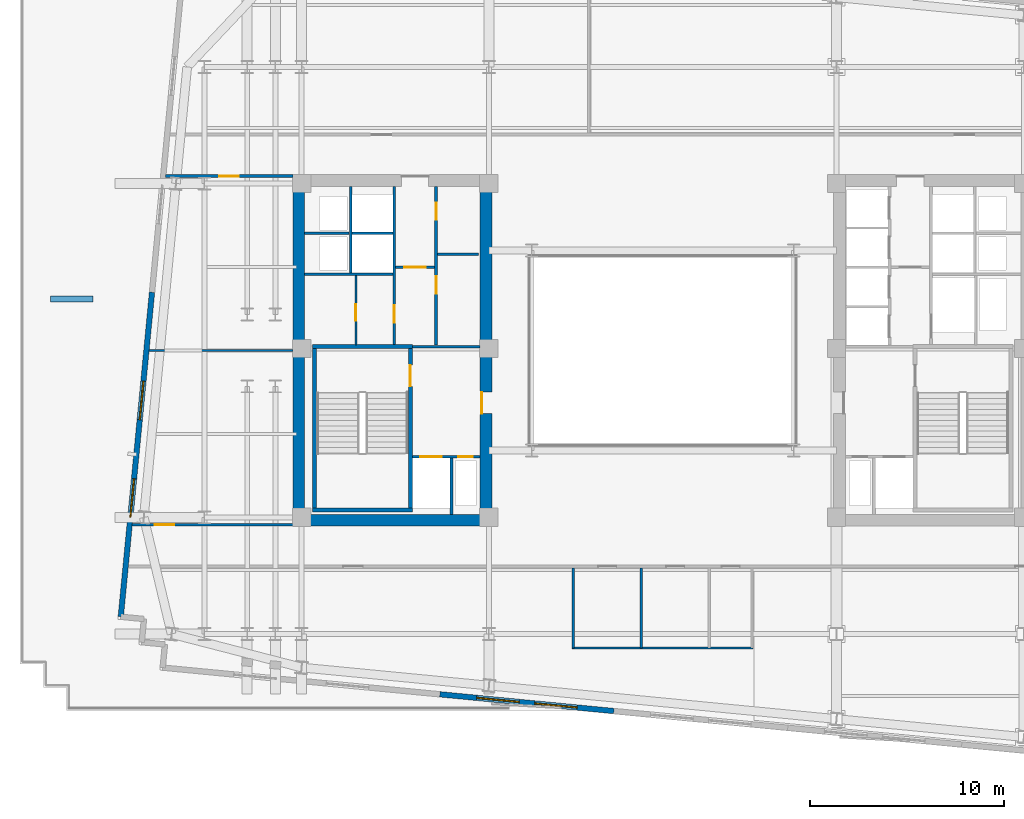
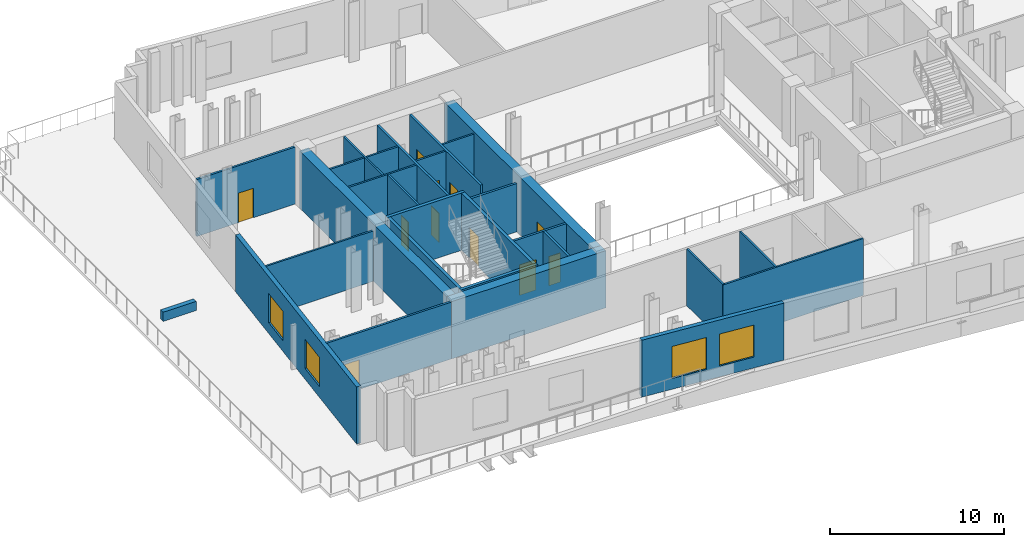
# One storey, part 5 of 11: 28 walls, 11 doors, 4 windows, 15 openings.
"""IFC4 building model written with IfcOpenShell, lengths in metres."""

from ifc_helpers import new_model, si_unit, direction, frame, frame_2d, origin, place, context, subcontext, project, spatial, rectangle, extrude, material, layer, layer_set, type_object, element, fill, save


model = new_model("IFC4")

# Units and contexts
model_context = context("Model", 3, precision=1e-05, world=origin(), true_north=direction((0.0, 1.0)))
body_context = subcontext(model_context, "Body", "Model", "MODEL_VIEW")
ifc_project = project(units=[si_unit("LENGTHUNIT", "METRE"), si_unit("AREAUNIT", "SQUARE_METRE"), si_unit("VOLUMEUNIT", "CUBIC_METRE"), si_unit("PLANEANGLEUNIT", "RADIAN"), si_unit("MASSUNIT", "GRAM", prefix="KILO")], contexts=[model_context])

# Site, building, storey
site_placement = place(None, origin())
site = spatial("IfcSite", under=ifc_project, at=site_placement, CompositionType="ELEMENT")
building_placement = place(site_placement, origin())
building = spatial("IfcBuilding", under=site, at=building_placement, Name="Velakula Bourse", CompositionType="ELEMENT")
storey_placement = place(building_placement, frame((0.0, 0.0, 156.199951171875)))
storey = spatial("IfcBuildingStorey", under=building, at=storey_placement, Name="L42", CompositionType="ELEMENT", Elevation=156.199951171875)

# Wall, opening, door
ifc_material_1 = material(Name="Concrete M50 (fck 50 MPa)", Category="concrete")
ifc_layer_1 = layer(ifc_material_1, 0.2099609375, Name="Concrete M50 (fck 50 MPa)", Category="concrete")
ifc_layer_set_1 = layer_set([ifc_layer_1], Name="Concrete M50 (fck 50 MPa)")
wall_type_1 = type_object("IfcWallType", Name="WL-CORE-210", PredefinedType="SHEAR", material=ifc_layer_set_1)
wall_1_placement = place(storey_placement, frame((-12.9951171875, -8.10009765625, 0.0), z_axis=(0.0, 0.0, 1.0), x_axis=(0.0, 1.0, 0.0)))
wall_1 = element("IfcWall", 1, at=wall_1_placement, inside=storey, type_object=wall_type_1, Name="L42 Core W Stairwell Shear Wall IN", PredefinedType="SHEAR", context=body_context, shape_type="SweptSolid", body=[
    extrude(rectangle(XDim=8.2001953125, YDim=0.2099609375, at=frame_2d((4.10009765625, 0.0))), origin(), (0.0, 0.0, 1.0), 4.02001953125),
])
opening_1_placement = place(wall_1_placement, frame((6.25, 0.0, 0.0)))
opening_1 = element("IfcOpeningElement", 2, at=opening_1_placement, cuts=wall_1, Name="Opening D-STW1", PredefinedType="OPENING", context=body_context, shape_type="SweptSolid", body=[
    extrude(rectangle(XDim=1.10009765625, YDim=2.14990234375, at=frame_2d((0.550048828125, 1.074951171875))), frame((0.0, 0.114990234375, 0.0), z_axis=(0.0, -1.0, 0.0), x_axis=(1.0, 0.0, 0.0)), (0.0, 0.0, 1.0), 0.22998046875),
])
ifc_material_2 = material(Name="Galvanised painted hollow steel fire door", Category="steel")
door_type_1 = type_object("IfcDoorType", Name="DR-FD120-1100x2150", OperationType="NOTDEFINED", PredefinedType="DOOR", material=ifc_material_2)
door_1_placement = place(opening_1_placement, origin())
door_1 = element("IfcDoor", 3, at=door_1_placement, inside=storey, type_object=door_type_1, Name="L42 Stair ST-W1 Fire Door", OperationType="SINGLE_SWING_LEFT", OverallHeight=2.14990234375, OverallWidth=1.10009765625, PredefinedType="DOOR", context=body_context, shape_type="SweptSolid", body=[
    extrude(rectangle(XDim=1.10009765625, YDim=2.14990234375, at=frame_2d((0.550048828125, 1.074951171875))), frame((0.0, 0.02490234375, 0.0), z_axis=(0.0, -1.0, 0.0), x_axis=(1.0, 0.0, 0.0)), (0.0, 0.0, 1.0), 0.050048828125),
])
fill(opening_1, door_1)

# Walls
wall_2_placement = place(storey_placement, frame((-17.925048828125, -8.10009765625, 0.0), z_axis=(0.0, 0.0, 1.0), x_axis=(0.0, 1.0, 0.0)))
element("IfcWall", 4, at=wall_2_placement, inside=storey, type_object=wall_type_1, Name="L42 Core W Stairwell Shear Wall OUT", PredefinedType="SHEAR", context=body_context, shape_type="SweptSolid", body=[
    extrude(rectangle(XDim=8.2001953125, YDim=0.2099609375, at=frame_2d((4.10009765625, 0.0))), origin(), (0.0, 0.0, 1.0), 4.02001953125),
])
for number, where, z_axis, x_axis, name in (
    (5, (-18.030029296875, -8.205078125, 0.0), (0.0, 0.0, 1.0), (1.0, 0.0, 0.0), "L42 Core W Stairwell Shear Wall S"),
    (6, (-12.889892578125, 0.205078125, 0.0), (0.0, 0.0, 1.0), (-1.0, 0.0, 0.0), "L42 Core W Stairwell Shear Wall N"),
):
    element("IfcWall", number, at=place(storey_placement, frame(where, z_axis=z_axis, x_axis=x_axis)), inside=storey, type_object=wall_type_1, Name=name, PredefinedType="SHEAR", context=body_context, shape_type="SweptSolid", body=[
        extrude(rectangle(XDim=5.14013671875, YDim=0.2099609375, at=frame_2d((2.570068359375, 0.0))), origin(), (0.0, 0.0, 1.0), 4.02001953125),
    ])
ifc_material_3 = material(Name="Concrete M70 (fck 70 MPa)", Category="concrete")
ifc_layer_2 = layer(ifc_material_3, 0.60009765625, Name="Concrete M70 (fck 70 MPa)", Category="concrete")
ifc_layer_set_2 = layer_set([ifc_layer_2], Name="Concrete M70 (fck 70 MPa)")
wall_type_2 = type_object("IfcWallType", Name="WL-CORE-600", PredefinedType="SHEAR", material=ifc_layer_set_2)
wall_3_placement = place(storey_placement, frame((-19.050048828125, -8.75, 0.0), z_axis=(0.0, 0.0, 1.0), x_axis=(1.0, 0.0, 0.0)))
element("IfcWall", 7, at=wall_3_placement, inside=storey, type_object=wall_type_2, Name="L42 Core W Shear Wall S", PredefinedType="SHEAR", context=body_context, shape_type="SweptSolid", body=[
    extrude(rectangle(XDim=10.25, YDim=0.60009765625, at=frame_2d((5.125, 0.0))), origin(), (0.0, 0.0, 1.0), 4.02001953125),
])
wall_4_placement = place(storey_placement, frame((-18.75, -8.449951171875, 0.0), z_axis=(0.0, 0.0, 1.0), x_axis=(0.0, 1.0, 0.0)))
element("IfcWall", 8, at=wall_4_placement, inside=storey, type_object=wall_type_2, Name="L42 Core W Shear Wall W", PredefinedType="SHEAR", context=body_context, shape_type="SweptSolid", body=[
    extrude(rectangle(XDim=16.89990234375, YDim=0.60009765625, at=frame_2d((8.449951171875, 0.0))), origin(), (0.0, 0.0, 1.0), 4.02001953125),
])

# Wall, opening, door
wall_5_placement = place(storey_placement, frame((-9.10009765625, -8.449951171875, 0.0), z_axis=(0.0, 0.0, 1.0), x_axis=(0.0, 1.0, 0.0)))
wall_5 = element("IfcWall", 9, at=wall_5_placement, inside=storey, type_object=wall_type_2, Name="L42 Core W Shear Wall E", PredefinedType="SHEAR", context=body_context, shape_type="SweptSolid", body=[
    extrude(rectangle(XDim=16.89990234375, YDim=0.60009765625, at=frame_2d((8.449951171875, 0.0))), origin(), (0.0, 0.0, 1.0), 4.02001953125),
])
opening_2_placement = place(wall_5_placement, frame((5.199951171875, 0.0, 0.0)))
opening_2 = element("IfcOpeningElement", 10, at=opening_2_placement, cuts=wall_5, Name="Opening D-FLW", PredefinedType="OPENING", context=body_context, shape_type="SweptSolid", body=[
    extrude(rectangle(XDim=1.10009765625, YDim=2.080078125, at=frame_2d((0.550048828125, 1.0400390625))), frame((0.0, 0.31005859375, 0.0), z_axis=(0.0, -1.0, 0.0), x_axis=(1.0, 0.0, 0.0)), (0.0, 0.0, 1.0), 0.6201171875),
])
door_type_2 = type_object("IfcDoorType", Name="DR-FD120-1100", OperationType="NOTDEFINED", PredefinedType="DOOR", material=ifc_material_2)
door_2_placement = place(opening_2_placement, origin())
door_2 = element("IfcDoor", 11, at=door_2_placement, inside=storey, type_object=door_type_2, Name="L42 Firefighting Lobby W Corridor Fire Door", OperationType="SINGLE_SWING_LEFT", OverallHeight=2.080078125, OverallWidth=1.10009765625, PredefinedType="DOOR", context=body_context, shape_type="SweptSolid", body=[
    extrude(rectangle(XDim=1.10009765625, YDim=2.080078125, at=frame_2d((0.550048828125, 1.0400390625))), frame((0.0, 0.2548828125, 0.0), z_axis=(0.0, -1.0, 0.0), x_axis=(1.0, 0.0, 0.0)), (0.0, 0.0, 1.0), 0.050048828125),
])
fill(opening_2, door_2)

# Wall, openings, windows
ifc_material_4 = material(Name="Red kilned clay facing brick masonry", Category="masonry")
ifc_layer_3 = layer(ifc_material_4, 0.280029296875, Name="Red kilned clay facing brick masonry", Category="masonry")
ifc_layer_set_3 = layer_set([ifc_layer_3], Name="Red kilned clay facing brick masonry")
wall_type_3 = type_object("IfcWallType", Name="WL-EXT-BRK-280", PredefinedType="STANDARD", material=ifc_layer_set_3)
wall_6_placement = place(storey_placement, frame((-2.5185546875, -18.5703125, 0.0), z_axis=(0.0, 0.0, 1.0), x_axis=(-0.995396794462, 0.09583956164, 0.0)))
wall_6 = element("IfcWall", 12, at=wall_6_placement, inside=storey, type_object=wall_type_3, Name="L42 S Brick Spandrel Wall B2", PredefinedType="STANDARD", context=body_context, shape_type="SweptSolid", body=[
    extrude(rectangle(XDim=9.0, YDim=0.280029296875, at=frame_2d((4.5, 0.0))), origin(), (0.0, 0.0, 1.0), 4.0),
])
opening_3_placement = place(wall_6_placement, frame((1.89990234375, 0.0, 0.760009765625)))
opening_3 = element("IfcOpeningElement", 13, at=opening_3_placement, cuts=wall_6, Name="Opening W-08", PredefinedType="OPENING", context=body_context, shape_type="SweptSolid", body=[
    extrude(rectangle(XDim=2.199951171875, YDim=2.25, at=frame_2d((1.10009765625, 1.125))), frame((0.0, 0.14990234375, 0.0), z_axis=(0.0, -1.0, 0.0), x_axis=(1.0, 0.0, 0.0)), (0.0, 0.0, 1.0), 0.300048828125),
])
opening_4_placement = place(wall_6_placement, frame((4.89990234375, 0.0, 0.760009765625)))
opening_4 = element("IfcOpeningElement", 14, at=opening_4_placement, cuts=wall_6, Name="Opening W-08", PredefinedType="OPENING", context=body_context, shape_type="SweptSolid", body=[
    extrude(rectangle(XDim=2.199951171875, YDim=2.25, at=frame_2d((1.10009765625, 1.125))), frame((0.0, 0.14990234375, 0.0), z_axis=(0.0, -1.0, 0.0), x_axis=(1.0, 0.0, 0.0)), (0.0, 0.0, 1.0), 0.300048828125),
])
ifc_material_5 = material(Name="Double-glazed solar-control Low-E glass", Category="glass")
window_type_1 = type_object("IfcWindowType", Name="WIN-SL-2200x2500", PartitioningType="DOUBLE_PANEL_VERTICAL", PredefinedType="WINDOW", material=ifc_material_5)
window_1_placement = place(opening_3_placement, origin())
window_1 = element("IfcWindow", 15, at=window_1_placement, inside=storey, type_object=window_type_1, Name="L42 Deep-Set Recessed Window 1", OverallHeight=2.25, OverallWidth=2.199951171875, PartitioningType="DOUBLE_PANEL_VERTICAL", PredefinedType="WINDOW", context=body_context, shape_type="SweptSolid", body=[
    extrude(rectangle(XDim=2.199951171875, YDim=2.25, at=frame_2d((1.10009765625, 1.125))), frame((0.0, 0.030029296875, 0.0), z_axis=(0.0, -1.0, 0.0), x_axis=(1.0, 0.0, 0.0)), (0.0, 0.0, 1.0), 0.06005859375),
])
fill(opening_3, window_1)
window_2_placement = place(opening_4_placement, origin())
window_2 = element("IfcWindow", 16, at=window_2_placement, inside=storey, type_object=window_type_1, Name="L42 Deep-Set Recessed Window 2", OverallHeight=2.25, OverallWidth=2.199951171875, PartitioningType="DOUBLE_PANEL_VERTICAL", PredefinedType="WINDOW", context=body_context, shape_type="SweptSolid", body=[
    extrude(rectangle(XDim=2.199951171875, YDim=2.25, at=frame_2d((1.10009765625, 1.125))), frame((0.0, 0.030029296875, 0.0), z_axis=(0.0, -1.0, 0.0), x_axis=(1.0, 0.0, 0.0)), (0.0, 0.0, 1.0), 0.06005859375),
])
fill(opening_4, window_2)

wall_7_placement = place(storey_placement, frame((-27.909912109375, -13.71435546875, 0.0), z_axis=(0.0, 0.0, 1.0), x_axis=(0.095839027265, 0.995396845913, 0.0)))
wall_7 = element("IfcWall", 17, at=wall_7_placement, inside=storey, type_object=wall_type_3, Name="L42 W Brick End Wall W1", PredefinedType="STANDARD", context=body_context, shape_type="SweptSolid", body=[
    extrude(rectangle(XDim=16.7900390625, YDim=0.280029296875, at=frame_2d((8.39501953125, 0.0))), origin(), (0.0, 0.0, 1.0), 4.0),
])
opening_5_placement = place(wall_7_placement, frame((5.146728515625, 0.0, 0.760009765625)))
opening_5 = element("IfcOpeningElement", 18, at=opening_5_placement, cuts=wall_7, Name="Opening W-05", PredefinedType="OPENING", context=body_context, shape_type="SweptSolid", body=[
    extrude(rectangle(XDim=2.0, YDim=2.050048828125, at=frame_2d((1.0, 1.02490234375))), frame((0.0, 0.14990234375, 0.0), z_axis=(0.0, -1.0, 0.0), x_axis=(1.0, 0.0, 0.0)), (0.0, 0.0, 1.0), 0.300048828125),
])
opening_6_placement = place(wall_7_placement, frame((10.193359375, 0.0, 0.760009765625)))
opening_6 = element("IfcOpeningElement", 19, at=opening_6_placement, cuts=wall_7, Name="Opening W-05", PredefinedType="OPENING", context=body_context, shape_type="SweptSolid", body=[
    extrude(rectangle(XDim=2.0, YDim=2.050048828125, at=frame_2d((1.0, 1.02490234375))), frame((0.0, 0.14990234375, 0.0), z_axis=(0.0, -1.0, 0.0), x_axis=(1.0, 0.0, 0.0)), (0.0, 0.0, 1.0), 0.300048828125),
])
window_type_2 = type_object("IfcWindowType", Name="WIN-TWR-2000x2200", PartitioningType="DOUBLE_PANEL_VERTICAL", PredefinedType="WINDOW", material=ifc_material_5)
window_3_placement = place(opening_5_placement, origin())
window_3 = element("IfcWindow", 20, at=window_3_placement, inside=storey, type_object=window_type_2, Name="L42 Deep-Set Recessed Window 1", OverallHeight=2.050048828125, OverallWidth=2.0, PartitioningType="DOUBLE_PANEL_VERTICAL", PredefinedType="WINDOW", context=body_context, shape_type="SweptSolid", body=[
    extrude(rectangle(XDim=2.0, YDim=2.050048828125, at=frame_2d((1.0, 1.02490234375))), frame((0.0, 0.030029296875, 0.0), z_axis=(0.0, -1.0, 0.0), x_axis=(1.0, 0.0, 0.0)), (0.0, 0.0, 1.0), 0.06005859375),
])
fill(opening_5, window_3)
window_4_placement = place(opening_6_placement, origin())
window_4 = element("IfcWindow", 21, at=window_4_placement, inside=storey, type_object=window_type_2, Name="L42 Deep-Set Recessed Window 2", OverallHeight=2.050048828125, OverallWidth=2.0, PartitioningType="DOUBLE_PANEL_VERTICAL", PredefinedType="WINDOW", context=body_context, shape_type="SweptSolid", body=[
    extrude(rectangle(XDim=2.0, YDim=2.050048828125, at=frame_2d((1.0, 1.02490234375))), frame((0.0, 0.030029296875, 0.0), z_axis=(0.0, -1.0, 0.0), x_axis=(1.0, 0.0, 0.0)), (0.0, 0.0, 1.0), 0.06005859375),
])
fill(opening_6, window_4)

# Wall
ifc_layer_4 = layer(ifc_material_4, 0.300048828125, Name="Red kilned clay facing brick masonry", Category="masonry")
ifc_layer_set_4 = layer_set([ifc_layer_4], Name="Red kilned clay facing brick masonry")
wall_type_4 = type_object("IfcWallType", Name="WL-PAR-PLN-300", PredefinedType="PARAPET", material=ifc_layer_set_4)
wall_8_placement = place(storey_placement, frame((-31.536865234375, 2.648681640625, 0.0), z_axis=(0.0, 0.0, 1.0), x_axis=(1.0, 0.0, 0.0)))
element("IfcWall", 22, at=wall_8_placement, inside=storey, type_object=wall_type_4, Name="L42 Sky-Garden Brick Planter 1", PredefinedType="PARAPET", context=body_context, shape_type="SweptSolid", body=[
    extrude(rectangle(XDim=2.199951171875, YDim=0.300048828125, at=frame_2d((1.10009765625, 0.0))), origin(), (0.0, 0.0, 1.0), 0.650146484375),
])

# Wall, opening, door
ifc_material_6 = material(Name="Fire-rated double-layer gypsum drywall partition", Category="gypsum")
ifc_layer_5 = layer(ifc_material_6, 0.1201171875, Name="Fire-rated double-layer gypsum drywall partition", Category="gypsum")
ifc_layer_set_5 = layer_set([ifc_layer_5], Name="Fire-rated double-layer gypsum drywall partition")
wall_type_5 = type_object("IfcWallType", Name="WL-PART-120", PredefinedType="STANDARD", material=ifc_layer_set_5)
wall_9_placement = place(storey_placement, frame((-13.75, 4.280029296875, 0.0), z_axis=(0.0, 0.0, 1.0), x_axis=(1.0, 0.0, 0.0)))
wall_9 = element("IfcWall", 23, at=wall_9_placement, inside=storey, type_object=wall_type_5, Name="L42 Interior Partition WL-CRW-L42-LL-K2", PredefinedType="STANDARD", context=body_context, shape_type="SweptSolid", body=[
    extrude(rectangle(XDim=2.0, YDim=0.1201171875, at=frame_2d((1.0, 0.0))), origin(), (0.0, 0.0, 1.0), 4.0),
])
opening_7_placement = place(wall_9_placement, frame((0.449951171875, 0.0, 0.0)))
opening_7 = element("IfcOpeningElement", 24, at=opening_7_placement, cuts=wall_9, Name="Opening D-LK2", PredefinedType="OPENING", context=body_context, shape_type="SweptSolid", body=[
    extrude(rectangle(XDim=1.10009765625, YDim=2.10009765625, at=frame_2d((0.550048828125, 1.050048828125))), frame((0.0, 0.070068359375, 0.0), z_axis=(0.0, -1.0, 0.0), x_axis=(1.0, 0.0, 0.0)), (0.0, 0.0, 1.0), 0.14013671875),
])
ifc_material_7 = material(Name="Fire-rated hardwood flush architectural door", Category="wood")
door_type_3 = type_object("IfcDoorType", Name="DR-FD60-1100x2100", OperationType="NOTDEFINED", PredefinedType="DOOR", material=ifc_material_7)
door_3_placement = place(opening_7_placement, origin())
door_3 = element("IfcDoor", 25, at=door_3_placement, inside=storey, type_object=door_type_3, Name="L42 Core W Lift Lobby Zone Door", OperationType="SINGLE_SWING_RIGHT", OverallHeight=2.10009765625, OverallWidth=1.10009765625, PredefinedType="DOOR", context=body_context, shape_type="SweptSolid", body=[
    extrude(rectangle(XDim=1.10009765625, YDim=2.10009765625, at=frame_2d((0.550048828125, 1.050048828125))), frame((0.0, 0.02490234375, 0.0), z_axis=(0.0, -1.0, 0.0), x_axis=(1.0, 0.0, 0.0)), (0.0, 0.0, 1.0), 0.050048828125),
])
fill(opening_7, door_3)

# Walls
wall_10_placement = place(storey_placement, frame((-11.60009765625, 4.949951171875, 0.0), z_axis=(0.0, 0.0, 1.0), x_axis=(1.0, 0.0, 0.0)))
element("IfcWall", 26, at=wall_10_placement, inside=storey, type_object=wall_type_5, Name="L42 Interior Partition WL-CRW-L42-RCDIV", PredefinedType="STANDARD", context=body_context, shape_type="SweptSolid", body=[
    extrude(rectangle(XDim=2.10009765625, YDim=0.1201171875, at=frame_2d((1.050048828125, 0.0))), origin(), (0.0, 0.0, 1.0), 4.0),
])
wall_11_placement = place(storey_placement, frame((-18.449951171875, 3.919921875, 0.0), z_axis=(0.0, 0.0, 1.0), x_axis=(1.0, 0.0, 0.0)))
element("IfcWall", 27, at=wall_11_placement, inside=storey, type_object=wall_type_5, Name="L42 Interior Partition WL-CRW-L42-HI-S", PredefinedType="STANDARD", context=body_context, shape_type="SweptSolid", body=[
    extrude(rectangle(XDim=4.550048828125, YDim=0.1201171875, at=frame_2d((2.27490234375, 0.0))), origin(), (0.0, 0.0, 1.0), 4.0),
])
wall_12_placement = place(storey_placement, frame((-18.449951171875, 6.030029296875, 0.0), z_axis=(0.0, 0.0, 1.0), x_axis=(1.0, 0.0, 0.0)))
element("IfcWall", 28, at=wall_12_placement, inside=storey, type_object=wall_type_5, Name="L42 Interior Partition WL-CRW-L42-RIS-MID", PredefinedType="STANDARD", context=body_context, shape_type="SweptSolid", body=[
    extrude(rectangle(XDim=2.300048828125, YDim=0.1201171875, at=frame_2d((1.14990234375, 0.0))), origin(), (0.0, 0.0, 1.0), 4.0),
])
wall_13_placement = place(storey_placement, frame((-16.074951171875, 3.97998046875, 0.0), z_axis=(0.0, 0.0, 1.0), x_axis=(0.0, 1.0, 0.0)))
element("IfcWall", 29, at=wall_13_placement, inside=storey, type_object=wall_type_5, Name="L42 Interior Partition WL-CRW-L42-RIS-F", PredefinedType="STANDARD", context=body_context, shape_type="SweptSolid", body=[
    extrude(rectangle(XDim=4.469970703125, YDim=0.1201171875, at=frame_2d((2.23486328125, 0.0))), origin(), (0.0, 0.0, 1.0), 4.0),
])
wall_14_placement = place(storey_placement, frame((-16.0, 6.030029296875, 0.0), z_axis=(0.0, 0.0, 1.0), x_axis=(1.0, 0.0, 0.0)))
element("IfcWall", 30, at=wall_14_placement, inside=storey, type_object=wall_type_5, Name="L42 Interior Partition WL-CRW-L42-HI-DIV", PredefinedType="STANDARD", context=body_context, shape_type="SweptSolid", body=[
    extrude(rectangle(XDim=2.10009765625, YDim=0.1201171875, at=frame_2d((1.050048828125, 0.0))), origin(), (0.0, 0.0, 1.0), 4.0),
])

# Wall, opening, door
wall_15_placement = place(storey_placement, frame((-15.800048828125, 0.27001953125, 0.0), z_axis=(0.0, 0.0, 1.0), x_axis=(0.0, 1.0, 0.0)))
wall_15 = element("IfcWall", 31, at=wall_15_placement, inside=storey, type_object=wall_type_5, Name="L42 Interior Partition WL-CRW-L42-K2", PredefinedType="STANDARD", context=body_context, shape_type="SweptSolid", body=[
    extrude(rectangle(XDim=3.590087890625, YDim=0.1201171875, at=frame_2d((1.794921875, 0.0))), origin(), (0.0, 0.0, 1.0), 4.0),
])
opening_8_placement = place(wall_15_placement, frame((1.25, 0.0, 0.0)))
opening_8 = element("IfcOpeningElement", 32, at=opening_8_placement, cuts=wall_15, Name="Opening D-CE1", PredefinedType="OPENING", context=body_context, shape_type="SweptSolid", body=[
    extrude(rectangle(XDim=0.85009765625, YDim=2.050048828125, at=frame_2d((0.425048828125, 1.02490234375))), frame((0.0, 0.070068359375, 0.0), z_axis=(0.0, -1.0, 0.0), x_axis=(1.0, 0.0, 0.0)), (0.0, 0.0, 1.0), 0.14013671875),
])
door_type_4 = type_object("IfcDoorType", Name="DR-INT-850", OperationType="NOTDEFINED", PredefinedType="DOOR", material=ifc_material_7)
door_4_placement = place(opening_8_placement, origin())
door_4 = element("IfcDoor", 33, at=door_4_placement, inside=storey, type_object=door_type_4, Name="L42 Core Equipment Store Door", OperationType="SINGLE_SWING_RIGHT", OverallHeight=2.050048828125, OverallWidth=0.85009765625, PredefinedType="DOOR", context=body_context, shape_type="SweptSolid", body=[
    extrude(rectangle(XDim=0.85009765625, YDim=2.050048828125, at=frame_2d((0.425048828125, 1.02490234375))), frame((0.0, 0.02490234375, 0.0), z_axis=(0.0, -1.0, 0.0), x_axis=(1.0, 0.0, 0.0)), (0.0, 0.0, 1.0), 0.050048828125),
])
fill(opening_8, door_4)

# Walls
wall_16_placement = place(storey_placement, frame((-4.659912109375, -15.320068359375, 0.0), z_axis=(0.0, 0.0, 1.0), x_axis=(1.0, 0.0, 0.0)))
element("IfcWall", 34, at=wall_16_placement, inside=storey, type_object=wall_type_5, Name="L42 Interior Partition WL-WC-L42-BACK", PredefinedType="STANDARD", context=body_context, shape_type="SweptSolid", body=[
    extrude(rectangle(XDim=9.31982421875, YDim=0.1201171875, at=frame_2d((4.659912109375, 0.0))), origin(), (0.0, 0.0, 1.0), 4.0),
])
for number, where, z_axis, x_axis, name in (
    (35, (-4.60009765625, -15.320068359375, 0.0), (0.0, 0.0, 1.0), (0.0, 1.0, 0.0), "L42 Interior Partition WL-WC-L42-V1"),
    (36, (-1.10009765625, -15.320068359375, 0.0), (0.0, 0.0, 1.0), (0.0, 1.0, 0.0), "L42 Interior Partition WL-WC-L42-V2"),
):
    element("IfcWall", number, at=place(storey_placement, frame(where, z_axis=z_axis, x_axis=x_axis)), inside=storey, type_object=wall_type_5, Name=name, PredefinedType="STANDARD", context=body_context, shape_type="SweptSolid", body=[
        extrude(rectangle(XDim=4.130126953125, YDim=0.1201171875, at=frame_2d((2.06494140625, 0.0))), origin(), (0.0, 0.0, 1.0), 4.0),
    ])
wall_17_placement = place(storey_placement, frame((-26.468994140625, 0.0, 0.0), z_axis=(0.0, 0.0, 1.0), x_axis=(1.0, 0.0, 0.0)))
element("IfcWall", 37, at=wall_17_placement, inside=storey, type_object=wall_type_5, Name="L42 Interior Partition WL-INT-L42-W-H", PredefinedType="STANDARD", context=body_context, shape_type="SweptSolid", body=[
    extrude(rectangle(XDim=7.4189453125, YDim=0.1201171875, at=frame_2d((3.70947265625, 0.0))), origin(), (0.0, 0.0, 1.0), 3.545166015625),
])

# Wall, opening, door
ifc_layer_6 = layer(ifc_material_6, 0.139892578125, Name="Fire-rated double-layer gypsum drywall partition", Category="gypsum")
ifc_layer_set_6 = layer_set([ifc_layer_6], Name="Fire-rated double-layer gypsum drywall partition")
wall_type_6 = type_object("IfcWallType", Name="WL-PART-140", PredefinedType="STANDARD", material=ifc_layer_set_6)
wall_18_placement = place(storey_placement, frame((-25.604248046875, 8.97998046875, 0.0), z_axis=(0.0, 0.0, 1.0), x_axis=(1.0, 0.0, 0.0)))
wall_18 = element("IfcWall", 38, at=wall_18_placement, inside=storey, type_object=wall_type_6, Name="L42 Interior Partition WL-INT-L42-W-NC", PredefinedType="STANDARD", context=body_context, shape_type="SweptSolid", body=[
    extrude(rectangle(XDim=6.55419921875, YDim=0.139892578125, at=frame_2d((3.277099609375, 0.0))), origin(), (0.0, 0.0, 1.0), 4.0),
])
opening_9_placement = place(wall_18_placement, frame((2.777099609375, 0.0, 0.0)))
opening_9 = element("IfcOpeningElement", 39, at=opening_9_placement, cuts=wall_18, Name="Opening D-OF1", PredefinedType="OPENING", context=body_context, shape_type="SweptSolid", body=[
    extrude(rectangle(XDim=1.0, YDim=2.080078125, at=frame_2d((0.5, 1.0400390625))), frame((0.0, 0.079833984375, 0.0), z_axis=(0.0, -1.0, 0.0), x_axis=(1.0, 0.0, 0.0)), (0.0, 0.0, 1.0), 0.159912109375),
])
door_type_5 = type_object("IfcDoorType", Name="DR-OFF-1000", OperationType="NOTDEFINED", PredefinedType="DOOR", material=ifc_material_7)
door_5_placement = place(opening_9_placement, origin())
door_5 = element("IfcDoor", 40, at=door_5_placement, inside=storey, type_object=door_type_5, Name="L42 Company Secretary Office Door", OperationType="SINGLE_SWING_RIGHT", OverallHeight=2.080078125, OverallWidth=1.0, PredefinedType="DOOR", context=body_context, shape_type="SweptSolid", body=[
    extrude(rectangle(XDim=1.0, YDim=2.080078125, at=frame_2d((0.5, 1.0400390625))), frame((0.0, 0.02490234375, 0.0), z_axis=(0.0, -1.0, 0.0), x_axis=(1.0, 0.0, 0.0)), (0.0, 0.0, 1.0), 0.050048828125),
])
fill(opening_9, door_5)

wall_19_placement = place(storey_placement, frame((-27.33349609375, -8.97998046875, 0.0), z_axis=(0.0, 0.0, 1.0), x_axis=(1.0, 0.0, 0.0)))
wall_19 = element("IfcWall", 41, at=wall_19_placement, inside=storey, type_object=wall_type_6, Name="L42 Interior Partition WL-INT-L42-W-SC", PredefinedType="STANDARD", context=body_context, shape_type="SweptSolid", body=[
    extrude(rectangle(XDim=8.283447265625, YDim=0.139892578125, at=frame_2d((4.1416015625, 0.0))), origin(), (0.0, 0.0, 1.0), 4.0),
])
opening_10_placement = place(wall_19_placement, frame((1.17724609375, 0.0, 0.0)))
opening_10 = element("IfcOpeningElement", 42, at=opening_10_placement, cuts=wall_19, Name="Opening D-OF1", PredefinedType="OPENING", context=body_context, shape_type="SweptSolid", body=[
    extrude(rectangle(XDim=1.0, YDim=2.080078125, at=frame_2d((0.5, 1.0400390625))), frame((0.0, 0.079833984375, 0.0), z_axis=(0.0, -1.0, 0.0), x_axis=(1.0, 0.0, 0.0)), (0.0, 0.0, 1.0), 0.159912109375),
])
door_6_placement = place(opening_10_placement, origin())
door_6 = element("IfcDoor", 43, at=door_6_placement, inside=storey, type_object=door_type_5, Name="L42 Equity Options Trading Workspace Door", OperationType="SINGLE_SWING_LEFT", OverallHeight=2.080078125, OverallWidth=1.0, PredefinedType="DOOR", context=body_context, shape_type="SweptSolid", body=[
    extrude(rectangle(XDim=1.0, YDim=2.080078125, at=frame_2d((0.5, 1.0400390625))), frame((0.0, 0.02490234375, 0.0), z_axis=(0.0, -1.0, 0.0), x_axis=(1.0, 0.0, 0.0)), (0.0, 0.0, 1.0), 0.050048828125),
])
fill(opening_10, door_6)

# Wall, openings, doors
ifc_material_8 = material(Name="Autoclaved aerated concrete blockwork masonry", Category="masonry")
ifc_layer_7 = layer(ifc_material_8, 0.14990234375, Name="Autoclaved aerated concrete blockwork masonry", Category="masonry")
ifc_layer_set_7 = layer_set([ifc_layer_7], Name="Autoclaved aerated concrete blockwork masonry")
wall_type_7 = type_object("IfcWallType", Name="WL-SHAFT-150", PredefinedType="STANDARD", material=ifc_layer_set_7)
wall_20_placement = place(storey_placement, frame((-12.89501953125, -5.47509765625, 0.0), z_axis=(0.0, 0.0, 1.0), x_axis=(1.0, 0.0, 0.0)))
wall_20 = element("IfcWall", 44, at=wall_20_placement, inside=storey, type_object=wall_type_7, Name="L42 Interior Partition WL-CRW-L42-FFL-N", PredefinedType="STANDARD", context=body_context, shape_type="SweptSolid", body=[
    extrude(rectangle(XDim=3.4951171875, YDim=0.14990234375, at=frame_2d((1.74755859375, 0.0))), origin(), (0.0, 0.0, 1.0), 4.0),
])
opening_11_placement = place(wall_20_placement, frame((0.419921875, 0.0, 0.0)))
opening_11 = element("IfcOpeningElement", 45, at=opening_11_placement, cuts=wall_20, Name="Opening LD-FFL-1", PredefinedType="OPENING", context=body_context, shape_type="SweptSolid", body=[
    extrude(rectangle(XDim=1.10009765625, YDim=2.14990234375, at=frame_2d((0.550048828125, 1.074951171875))), frame((0.0, 0.0849609375, 0.0), z_axis=(0.0, -1.0, 0.0), x_axis=(1.0, 0.0, 0.0)), (0.0, 0.0, 1.0), 0.169921875),
])
opening_12_placement = place(wall_20_placement, frame((2.3701171875, 0.0, 0.0)))
opening_12 = element("IfcOpeningElement", 46, at=opening_12_placement, cuts=wall_20, Name="Opening D-RS1", PredefinedType="OPENING", context=body_context, shape_type="SweptSolid", body=[
    extrude(rectangle(XDim=0.75, YDim=2.050048828125, at=frame_2d((0.375, 1.02490234375))), frame((0.0, 0.0849609375, 0.0), z_axis=(0.0, -1.0, 0.0), x_axis=(1.0, 0.0, 0.0)), (0.0, 0.0, 1.0), 0.169921875),
])
door_type_6 = type_object("IfcDoorType", Name="DR-RISER-800", OperationType="NOTDEFINED", PredefinedType="DOOR", material=ifc_material_2)
door_7_placement = place(opening_12_placement, origin())
door_7 = element("IfcDoor", 47, at=door_7_placement, inside=storey, type_object=door_type_6, Name="L42 Fire Riser Access Door", OperationType="SINGLE_SWING_LEFT", OverallHeight=2.050048828125, OverallWidth=0.75, PredefinedType="DOOR", context=body_context, shape_type="SweptSolid", body=[
    extrude(rectangle(XDim=0.75, YDim=2.050048828125, at=frame_2d((0.375, 1.02490234375))), frame((0.0, 0.02490234375, 0.0), z_axis=(0.0, -1.0, 0.0), x_axis=(1.0, 0.0, 0.0)), (0.0, 0.0, 1.0), 0.050048828125),
])
fill(opening_12, door_7)
ifc_material_9 = material(Name="Brushed grade 316 stainless steel", Category="steel")
door_type_7 = type_object("IfcDoorType", Name="DR-SLIDE-FFL-1100", OperationType="DOUBLE_DOOR_SLIDING", PredefinedType="DOOR", material=ifc_material_9)
door_8_placement = place(opening_11_placement, origin())
door_8 = element("IfcDoor", 48, at=door_8_placement, inside=storey, type_object=door_type_7, Name="L42 Firefighting Lift FFL-1 Sliding Landing Door", OperationType="DOUBLE_DOOR_SLIDING", OverallHeight=2.14990234375, OverallWidth=1.10009765625, PredefinedType="DOOR", context=body_context, shape_type="SweptSolid", body=[
    extrude(rectangle(XDim=1.10009765625, YDim=2.14990234375, at=frame_2d((0.550048828125, 1.074951171875))), frame((0.0, 0.02490234375, 0.0), z_axis=(0.0, -1.0, 0.0), x_axis=(1.0, 0.0, 0.0)), (0.0, 0.0, 1.0), 0.050048828125),
])
fill(opening_11, door_8)

# Walls
wall_21_placement = place(storey_placement, frame((-10.875, -8.449951171875, 0.0), z_axis=(0.0, 0.0, 1.0), x_axis=(0.0, 1.0, 0.0)))
element("IfcWall", 49, at=wall_21_placement, inside=storey, type_object=wall_type_7, Name="L42 Interior Partition WL-CRW-L42-FR-DIV", PredefinedType="STANDARD", context=body_context, shape_type="SweptSolid", body=[
    extrude(rectangle(XDim=2.89990234375, YDim=0.14990234375, at=frame_2d((1.449951171875, 0.0))), origin(), (0.0, 0.0, 1.0), 4.0),
])
wall_22_placement = place(storey_placement, frame((-12.889892578125, 0.18994140625, 0.0), z_axis=(0.0, 0.0, 1.0), x_axis=(1.0, 0.0, 0.0)))
element("IfcWall", 50, at=wall_22_placement, inside=storey, type_object=wall_type_7, Name="L42 Interior Partition WL-CRW-L42-FF-TOP", PredefinedType="STANDARD", context=body_context, shape_type="SweptSolid", body=[
    extrude(rectangle(XDim=3.489990234375, YDim=0.14990234375, at=frame_2d((1.7451171875, 0.0))), origin(), (0.0, 0.0, 1.0), 3.39501953125),
])

# Wall, openings, doors
wall_23_placement = place(storey_placement, frame((-11.675048828125, 0.27001953125, 0.0), z_axis=(0.0, 0.0, 1.0), x_axis=(0.0, 1.0, 0.0)))
wall_23 = element("IfcWall", 51, at=wall_23_placement, inside=storey, type_object=wall_type_7, Name="L42 Interior Partition WL-CRW-L42-BANK-F", PredefinedType="STANDARD", context=body_context, shape_type="SweptSolid", body=[
    extrude(rectangle(XDim=8.179931640625, YDim=0.14990234375, at=frame_2d((4.08984375, 0.0))), origin(), (0.0, 0.0, 1.0), 4.0),
])
opening_13_placement = place(wall_23_placement, frame((2.64990234375, 0.0, 0.0)))
opening_13 = element("IfcOpeningElement", 52, at=opening_13_placement, cuts=wall_23, Name="Opening D-RC1", PredefinedType="OPENING", context=body_context, shape_type="SweptSolid", body=[
    extrude(rectangle(XDim=0.89990234375, YDim=2.050048828125, at=frame_2d((0.449951171875, 1.02490234375))), frame((0.0, 0.0849609375, 0.0), z_axis=(0.0, -1.0, 0.0), x_axis=(1.0, 0.0, 0.0)), (0.0, 0.0, 1.0), 0.169921875),
])
opening_14_placement = place(wall_23_placement, frame((6.449951171875, 0.0, 0.0)))
opening_14 = element("IfcOpeningElement", 53, at=opening_14_placement, cuts=wall_23, Name="Opening D-RC1", PredefinedType="OPENING", context=body_context, shape_type="SweptSolid", body=[
    extrude(rectangle(XDim=0.89990234375, YDim=2.050048828125, at=frame_2d((0.449951171875, 1.02490234375))), frame((0.0, 0.0849609375, 0.0), z_axis=(0.0, -1.0, 0.0), x_axis=(1.0, 0.0, 0.0)), (0.0, 0.0, 1.0), 0.169921875),
])
door_type_8 = type_object("IfcDoorType", Name="DR-FD60-900", OperationType="NOTDEFINED", PredefinedType="DOOR", material=ifc_material_7)
door_9_placement = place(opening_13_placement, origin())
door_9 = element("IfcDoor", 54, at=door_9_placement, inside=storey, type_object=door_type_8, Name="L42 Reclaimed Archive Room Door", OperationType="SINGLE_SWING_RIGHT", OverallHeight=2.050048828125, OverallWidth=0.89990234375, PredefinedType="DOOR", context=body_context, shape_type="SweptSolid", body=[
    extrude(rectangle(XDim=0.89990234375, YDim=2.050048828125, at=frame_2d((0.449951171875, 1.02490234375))), frame((0.0, 0.02490234375, 0.0), z_axis=(0.0, -1.0, 0.0), x_axis=(1.0, 0.0, 0.0)), (0.0, 0.0, 1.0), 0.050048828125),
])
fill(opening_13, door_9)
door_10_placement = place(opening_14_placement, origin())
door_10 = element("IfcDoor", 55, at=door_10_placement, inside=storey, type_object=door_type_8, Name="L42 Reclaimed Registry Store Door", OperationType="SINGLE_SWING_LEFT", OverallHeight=2.050048828125, OverallWidth=0.89990234375, PredefinedType="DOOR", context=body_context, shape_type="SweptSolid", body=[
    extrude(rectangle(XDim=0.89990234375, YDim=2.050048828125, at=frame_2d((0.449951171875, 1.02490234375))), frame((0.0, 0.02490234375, 0.0), z_axis=(0.0, -1.0, 0.0), x_axis=(1.0, 0.0, 0.0)), (0.0, 0.0, 1.0), 0.050048828125),
])
fill(opening_14, door_10)

# Wall, opening, door
wall_24_placement = place(storey_placement, frame((-13.824951171875, 0.27001953125, 0.0), z_axis=(0.0, 0.0, 1.0), x_axis=(0.0, 1.0, 0.0)))
wall_24 = element("IfcWall", 56, at=wall_24_placement, inside=storey, type_object=wall_type_7, Name="L42 Interior Partition WL-CRW-L42-OUT-F", PredefinedType="STANDARD", context=body_context, shape_type="SweptSolid", body=[
    extrude(rectangle(XDim=8.179931640625, YDim=0.14990234375, at=frame_2d((4.08984375, 0.0))), origin(), (0.0, 0.0, 1.0), 4.0),
])
opening_15_placement = place(wall_24_placement, frame((1.14990234375, 0.0, 0.0)))
opening_15 = element("IfcOpeningElement", 57, at=opening_15_placement, cuts=wall_24, Name="Opening D-CP1", PredefinedType="OPENING", context=body_context, shape_type="SweptSolid", body=[
    extrude(rectangle(XDim=0.89990234375, YDim=2.050048828125, at=frame_2d((0.449951171875, 1.02490234375))), frame((0.0, 0.0849609375, 0.0), z_axis=(0.0, -1.0, 0.0), x_axis=(1.0, 0.0, 0.0)), (0.0, 0.0, 1.0), 0.169921875),
])
door_type_9 = type_object("IfcDoorType", Name="DR-INT-900", OperationType="NOTDEFINED", PredefinedType="DOOR", material=ifc_material_7)
door_11_placement = place(opening_15_placement, origin())
door_11 = element("IfcDoor", 58, at=door_11_placement, inside=storey, type_object=door_type_9, Name="L42 Core Tea Pantry Door", OperationType="SINGLE_SWING_RIGHT", OverallHeight=2.050048828125, OverallWidth=0.89990234375, PredefinedType="DOOR", context=body_context, shape_type="SweptSolid", body=[
    extrude(rectangle(XDim=0.89990234375, YDim=2.050048828125, at=frame_2d((0.449951171875, 1.02490234375))), frame((0.0, 0.02490234375, 0.0), z_axis=(0.0, -1.0, 0.0), x_axis=(1.0, 0.0, 0.0)), (0.0, 0.0, 1.0), 0.050048828125),
])
fill(opening_15, door_11)

save(model, "model.ifc")
